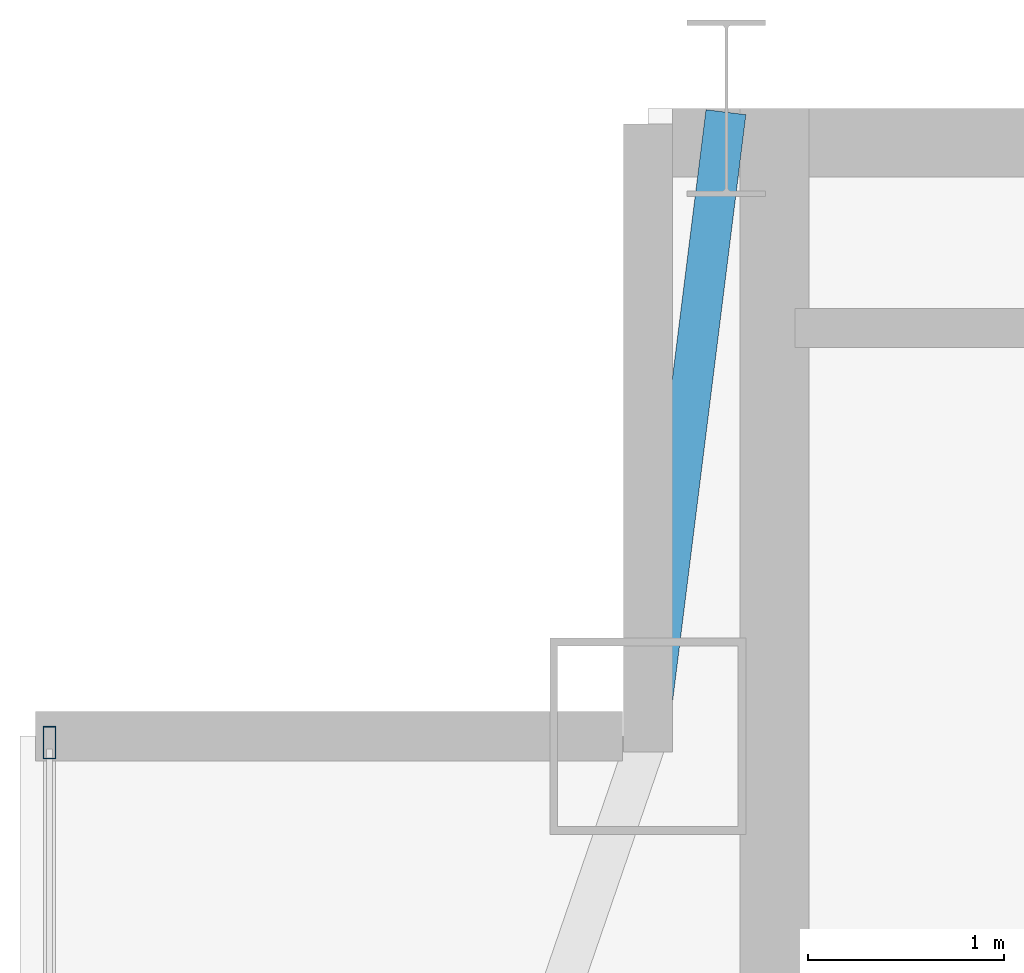
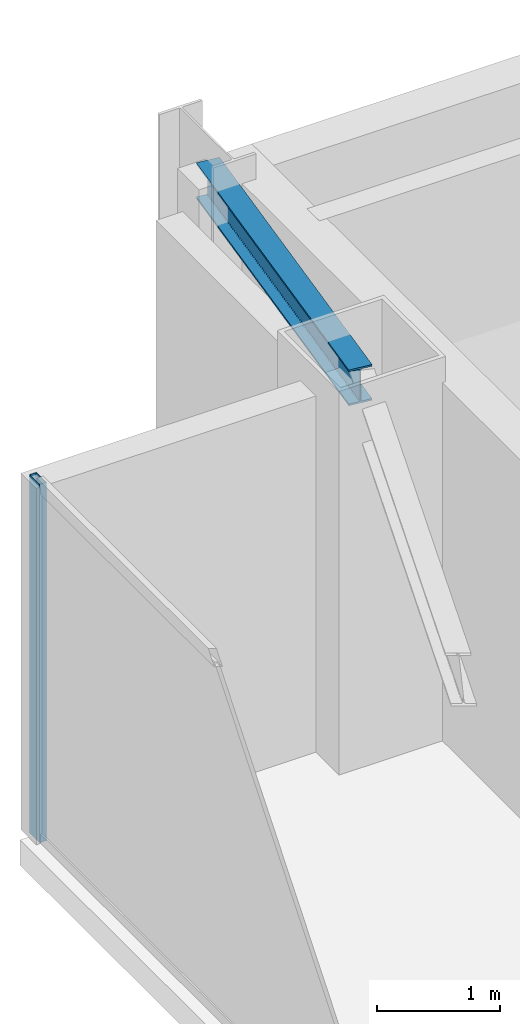
# One storey, part 15 of 23: 1 beam, 1 member, 1 element without a shape of its own.
"""IFC4 building model written with IfcOpenShell, lengths in metres."""

from ifc_helpers import new_model, si_unit, direction, frame, origin, origin_2d, place, context, subcontext, project, spatial, hollow_rectangle, i_section, extrude, source, transform, mapped, material, layer, layer_set, material_profile, profile_set, type_object, type_shapes, element, aggregate, save


model = new_model("IFC4")

# Units and contexts
model_context = context("Model", 3, precision=1e-05, world=origin(), true_north=direction((0.0, 1.0)))
body_context = subcontext(model_context, "Body", "Model", "MODEL_VIEW")
ifc_project = project(units=[si_unit("LENGTHUNIT", "METRE"), si_unit("AREAUNIT", "SQUARE_METRE"), si_unit("VOLUMEUNIT", "CUBIC_METRE"), si_unit("PLANEANGLEUNIT", "RADIAN"), si_unit("MASSUNIT", "GRAM", prefix="KILO")], contexts=[model_context])

# Site, building, storey
site_placement = place(None, origin())
site = spatial("IfcSite", under=ifc_project, at=site_placement, CompositionType="ELEMENT")
building_placement = place(site_placement, origin())
building = spatial("IfcBuilding", under=site, at=building_placement, Name="Varnel Quay Broadcast Tower", CompositionType="ELEMENT")
storey_placement = place(building_placement, frame((0.0, 0.0, 266.0)))
storey = spatial("IfcBuildingStorey", under=building, at=storey_placement, Name="L66", CompositionType="ELEMENT", Elevation=266.0)

# Beam
ifc_material_1 = material(Name="Structural Steel CSA G40.21 350W", Category="steel")
ifc_material_profile_1 = material_profile(ifc_material_1, i_section(OverallWidth=0.205078125, OverallDepth=0.35400390625, WebThickness=0.009521484375, FlangeThickness=0.016845703125, FilletRadius=0.012939453125, at=origin_2d()), Name="W360X79")
ifc_profile_set_1 = profile_set([ifc_material_profile_1], Name="Structural Steel CSA G40.21 350W")
beam_type = type_object("IfcBeamType", Name="Beam_W360X79", PredefinedType="SPANDREL", material=ifc_profile_set_1)
shared_shape_1 = source(origin(), body_context, "Body", "SweptSolid", [
    extrude(i_section(OverallWidth=0.205078125, OverallDepth=0.35400390625, WebThickness=0.009521484375, FlangeThickness=0.016845703125, FilletRadius=0.012939453125, at=origin_2d()), origin(), (0.0, 0.0, 1.0), 3.18505859375),
])
type_shapes(beam_type, [shared_shape_1])
beam_placement = place(storey_placement, frame((15.202392578125, 43.619873046875, 3.373046875), z_axis=(0.124025300311, 0.992279055953, 0.0), x_axis=(-0.992279055953, 0.124025300311, 0.0)))
element("IfcBeam", 1, at=beam_placement, inside=storey, type_object=beam_type, Name="L66 NW Tie Spandrel", PredefinedType="SPANDREL", context=body_context, shape_type="MappedRepresentation", body=[
    mapped(shared_shape_1, transform((0.0, 0.0, 0.0), x_axis=(1.0, 0.0, 0.0), y_axis=(0.0, 1.0, 0.0), z_axis=(0.0, 0.0, 1.0), scale=1.0)),
])

# Curtain wall, member
ifc_material_2 = material(Name="Anodised Bronze Aluminium 6063-T6", Category="aluminium")
ifc_layer = layer(ifc_material_2, 0.18994140625, Name="Anodised Bronze Aluminium 6063-T6")
ifc_layer_set = layer_set([ifc_layer], Name="Anodised Bronze Aluminium 6063-T6")
curtain_wall_type = type_object("IfcCurtainWallType", Name="CW_UpperTower", PredefinedType="NOTDEFINED", material=ifc_layer_set)
curtain_wall_placement = place(storey_placement, origin())
curtain_wall = element("IfcCurtainWall", 2, at=curtain_wall_placement, inside=storey, type_object=curtain_wall_type, Name="L66 West Unitised Curtain Wall", PredefinedType="NOTDEFINED")
ifc_material_profile_2 = material_profile(ifc_material_2, hollow_rectangle(XDim=0.06494140625, YDim=0.1650390625, WallThickness=0.00341796875, at=origin_2d()), Name="ALU65X165X3.5")
ifc_profile_set_2 = profile_set([ifc_material_profile_2], Name="Anodised Bronze Aluminium 6063-T6")
member_type = type_object("IfcMemberType", Name="Mull_CWS-03", PredefinedType="MULLION", material=ifc_profile_set_2)
shared_shape_2 = source(origin(), body_context, "Body", "SweptSolid", [
    extrude(hollow_rectangle(XDim=0.06494140625, YDim=0.1650390625, WallThickness=0.00341796875, at=origin_2d()), origin(), (0.0, 0.0, 1.0), 3.550048828125),
])
type_shapes(member_type, [shared_shape_2])
member_placement = place(storey_placement, frame((12.14990234375, 43.5673828125, 0.0), z_axis=(0.0, 0.0, 1.0), x_axis=(-1.0, 0.0, 0.0)))
member = element("IfcMember", 3, at=member_placement, type_object=member_type, Name="CWS-03 mullion 3", PredefinedType="MULLION", context=body_context, shape_type="MappedRepresentation", body=[
    mapped(shared_shape_2, transform((0.0, 0.0, 0.0), x_axis=(1.0, 0.0, 0.0), y_axis=(0.0, 1.0, 0.0), z_axis=(0.0, 0.0, 1.0), scale=1.0)),
])
aggregate(curtain_wall, [member])

save(model, "model.ifc")
